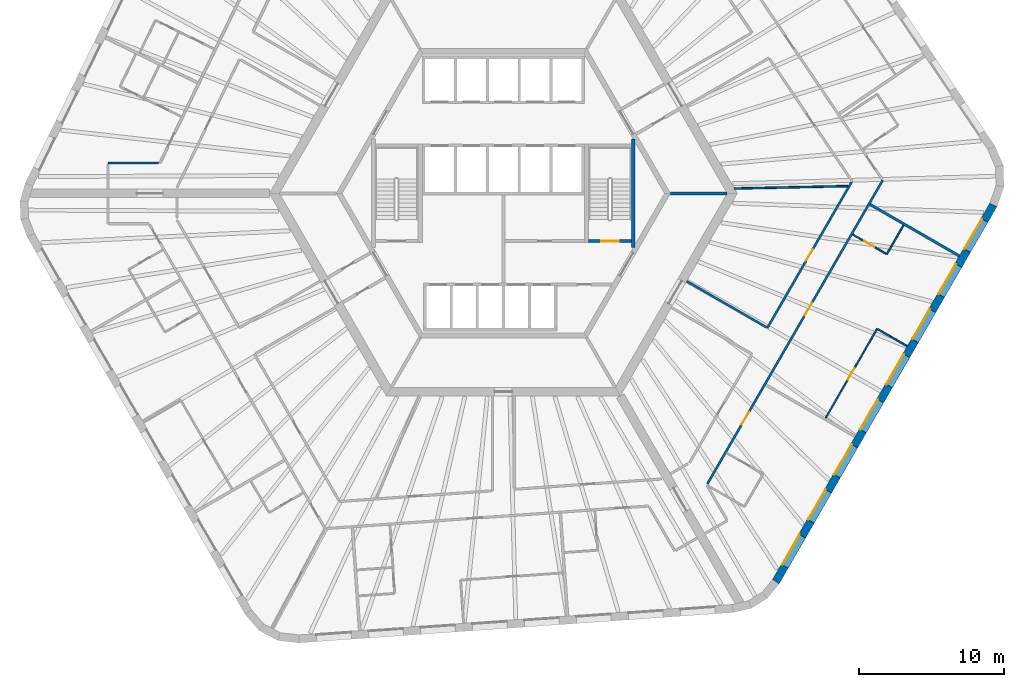
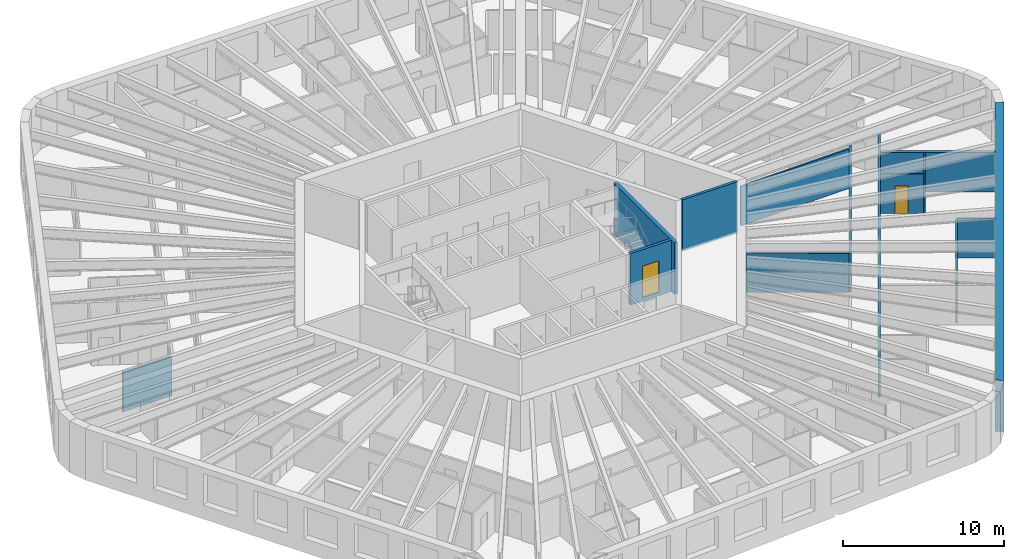
# One storey, part 6 of 12: 14 walls, 8 windows, 6 doors, 14 openings.
"""IFC4 building model written with IfcOpenShell, lengths in metres."""

from ifc_helpers import new_model, si_unit, direction, frame, frame_2d, origin, place, context, subcontext, project, spatial, polyline, rectangle, outline, extrude, material, layer, layer_set, type_object, element, fill, save


model = new_model("IFC4")

# Units and contexts
model_context = context("Model", 3, precision=1e-05, world=origin(), true_north=direction((0.0, 1.0)))
body_context = subcontext(model_context, "Body", "Model", "MODEL_VIEW")
ifc_project = project(units=[si_unit("LENGTHUNIT", "METRE"), si_unit("AREAUNIT", "SQUARE_METRE"), si_unit("VOLUMEUNIT", "CUBIC_METRE"), si_unit("PLANEANGLEUNIT", "RADIAN"), si_unit("MASSUNIT", "GRAM", prefix="KILO")], contexts=[model_context])

# Site, building, storey
site_placement = place(None, origin())
site = spatial("IfcSite", under=ifc_project, at=site_placement, CompositionType="ELEMENT")
building_placement = place(site_placement, origin())
building = spatial("IfcBuilding", under=site, at=building_placement, Name="Tarnside Tower", CompositionType="ELEMENT")
storey_placement = place(building_placement, frame((0.0, 0.0, 96.0)))
storey = spatial("IfcBuildingStorey", under=building, at=storey_placement, Name="L21", CompositionType="ELEMENT", Elevation=96.0)

# Wall
ifc_material_1 = material(Name="Gypsum board partition on steel studs", Category="steel")
ifc_layer_1 = layer(ifc_material_1, 0.10009765625)
ifc_layer_set_1 = layer_set([ifc_layer_1], Name="Bathroom wall 100")
wall_type_1 = type_object("IfcWallType", Name="Bathroom wall 100", PredefinedType="PARTITIONING", material=ifc_layer_set_1)
wall_1_placement = place(storey_placement, frame((27.654541015625, -2.201171875, 0.0), z_axis=(0.0, 0.0, 1.0), x_axis=(-0.500015210774, -0.866016621662, 0.0)))
element("IfcWall", 1, at=wall_1_placement, inside=storey, type_object=wall_type_1, Name="Bathroom wall 06143", PredefinedType="PARTITIONING", context=body_context, shape_type="SweptSolid", body=[
    extrude(rectangle(XDim=2.31005859375, YDim=0.10009765625, at=frame_2d((1.155029296875, 0.0))), origin(), (0.0, 0.0, 1.0), 2.98779296875),
])

# Wall, opening, door
wall_2_placement = place(storey_placement, frame((26.4560546875, -4.176513671875, 0.0), z_axis=(0.0, 0.0, 1.0), x_axis=(-0.866021425885, 0.500006889861, 0.0)))
wall_2 = element("IfcWall", 2, at=wall_2_placement, inside=storey, type_object=wall_type_1, Name="Bathroom wall 06144", PredefinedType="PARTITIONING", context=body_context, shape_type="SweptSolid", body=[
    extrude(rectangle(XDim=2.6748046875, YDim=0.10009765625, at=frame_2d((1.33740234375, 0.0))), origin(), (0.0, 0.0, 1.0), 2.98779296875),
])
opening_1_placement = place(wall_2_placement, frame((0.949951171875, 0.0, 0.0)))
opening_1 = element("IfcOpeningElement", 3, at=opening_1_placement, cuts=wall_2, Name="Opening D-B1", PredefinedType="OPENING", context=body_context, shape_type="SweptSolid", body=[
    extrude(rectangle(XDim=0.800048828125, YDim=2.10009765625, at=frame_2d((0.39990234375, 1.050048828125))), frame((0.0, 0.06005859375, 0.0), z_axis=(0.0, -1.0, 0.0), x_axis=(1.0, 0.0, 0.0)), (0.0, 0.0, 1.0), 0.1201171875),
])
ifc_material_2 = material(Name="Timber door leaf", Category="wood")
door_type_1 = type_object("IfcDoorType", Name="Bathroom door 800", OperationType="NOTDEFINED", PredefinedType="DOOR", material=ifc_material_2)
door_1_placement = place(opening_1_placement, origin())
door_1 = element("IfcDoor", 4, at=door_1_placement, inside=storey, type_object=door_type_1, Name="Bathroom door 06033", OperationType="SINGLE_SWING_RIGHT", OverallHeight=2.10009765625, OverallWidth=0.800048828125, PredefinedType="DOOR", context=body_context, shape_type="SweptSolid", body=[
    extrude(rectangle(XDim=0.800048828125, YDim=2.10009765625, at=frame_2d((0.39990234375, 1.050048828125))), frame((0.0, 0.02490234375, 0.0), z_axis=(0.0, -1.0, 0.0), x_axis=(1.0, 0.0, 0.0)), (0.0, 0.0, 1.0), 0.050048828125),
])
fill(opening_1, door_1)

# Wall
ifc_layer_2 = layer(ifc_material_1, 0.14990234375)
ifc_layer_set_2 = layer_set([ifc_layer_2], Name="Corridor wall 150 EI 60")
wall_type_2 = type_object("IfcWallType", Name="Corridor wall 150 EI 60", PredefinedType="PARTITIONING", material=ifc_layer_set_2)
wall_3_placement = place(storey_placement, frame((-23.814697265625, 2.10009765625, 0.0), z_axis=(0.0, 0.0, 1.0), x_axis=(-1.0, 0.0, 0.0)))
element("IfcWall", 5, at=wall_3_placement, inside=storey, type_object=wall_type_2, Name="Corridor wall 06012", PredefinedType="PARTITIONING", context=body_context, shape_type="SweptSolid", body=[
    extrude(rectangle(XDim=3.505615234375, YDim=0.14990234375, at=frame_2d((1.7529296875, 0.0))), origin(), (0.0, 0.0, 1.0), 2.98779296875),
])

# Wall, openings, doors
wall_4_placement = place(storey_placement, frame((14.101806640625, -20.074951171875, 0.0), z_axis=(0.0, 0.0, 1.0), x_axis=(0.499996816197, 0.866027241946, 0.0)))
wall_4 = element("IfcWall", 6, at=wall_4_placement, inside=storey, type_object=wall_type_2, Name="Corridor wall 06052", PredefinedType="PARTITIONING", context=body_context, shape_type="SweptSolid", body=[
    extrude(rectangle(XDim=24.238037109375, YDim=0.14990234375, at=frame_2d((12.119140625, 0.0))), origin(), (0.0, 0.0, 1.0), 2.98779296875),
])
opening_2_placement = place(wall_4_placement, frame((4.7294921875, 0.0, 0.0)))
opening_2 = element("IfcOpeningElement", 7, at=opening_2_placement, cuts=wall_4, Name="Opening D-E1", PredefinedType="OPENING", context=body_context, shape_type="SweptSolid", body=[
    extrude(rectangle(XDim=1.0, YDim=2.10009765625, at=frame_2d((0.5, 1.050048828125))), frame((0.0, 0.0849609375, 0.0), z_axis=(0.0, -1.0, 0.0), x_axis=(1.0, 0.0, 0.0)), (0.0, 0.0, 1.0), 0.169921875),
])
opening_3_placement = place(wall_4_placement, frame((13.445556640625, 0.0, 0.0)))
opening_3 = element("IfcOpeningElement", 8, at=opening_3_placement, cuts=wall_4, Name="Opening D-E1", PredefinedType="OPENING", context=body_context, shape_type="SweptSolid", body=[
    extrude(rectangle(XDim=1.0, YDim=2.10009765625, at=frame_2d((0.5, 1.050048828125))), frame((0.0, 0.0849609375, 0.0), z_axis=(0.0, -1.0, 0.0), x_axis=(1.0, 0.0, 0.0)), (0.0, 0.0, 1.0), 0.169921875),
])
door_type_2 = type_object("IfcDoorType", Name="Unit entrance door 1000 FD30S", OperationType="NOTDEFINED", PredefinedType="DOOR", material=ifc_material_2)
door_2_placement = place(opening_2_placement, origin())
door_2 = element("IfcDoor", 9, at=door_2_placement, inside=storey, type_object=door_type_2, Name="Unit door 06030", OperationType="SINGLE_SWING_LEFT", OverallHeight=2.10009765625, OverallWidth=1.0, PredefinedType="DOOR", context=body_context, shape_type="SweptSolid", body=[
    extrude(rectangle(XDim=1.0, YDim=2.10009765625, at=frame_2d((0.5, 1.050048828125))), frame((0.0, 0.02490234375, 0.0), z_axis=(0.0, -1.0, 0.0), x_axis=(1.0, 0.0, 0.0)), (0.0, 0.0, 1.0), 0.050048828125),
])
fill(opening_2, door_2)
door_3_placement = place(opening_3_placement, origin())
door_3 = element("IfcDoor", 10, at=door_3_placement, inside=storey, type_object=door_type_2, Name="Unit door 06032", OperationType="SINGLE_SWING_RIGHT", OverallHeight=2.10009765625, OverallWidth=1.0, PredefinedType="DOOR", context=body_context, shape_type="SweptSolid", body=[
    extrude(rectangle(XDim=1.0, YDim=2.10009765625, at=frame_2d((0.5, 1.050048828125))), frame((0.0, 0.02490234375, 0.0), z_axis=(0.0, -1.0, 0.0), x_axis=(1.0, 0.0, 0.0)), (0.0, 0.0, 1.0), 0.050048828125),
])
fill(opening_3, door_3)

# Wall, opening, door
wall_5_placement = place(storey_placement, frame((24.057861328125, 0.769287109375, 0.0), z_axis=(0.0, 0.0, 1.0), x_axis=(-0.499995346943, -0.866028090212, 0.0)))
wall_5 = element("IfcWall", 11, at=wall_5_placement, inside=storey, type_object=wall_type_2, Name="Corridor wall 06066", PredefinedType="PARTITIONING", context=body_context, shape_type="SweptSolid", body=[
    extrude(rectangle(XDim=11.6162109375, YDim=0.14990234375, at=frame_2d((5.80810546875, 0.0))), origin(), (0.0, 0.0, 1.0), 2.98779296875),
])
opening_4_placement = place(wall_5_placement, frame((5.358154296875, 0.0, 0.0)))
opening_4 = element("IfcOpeningElement", 12, at=opening_4_placement, cuts=wall_5, Name="Opening D-S1", PredefinedType="OPENING", context=body_context, shape_type="SweptSolid", body=[
    extrude(rectangle(XDim=0.89990234375, YDim=2.10009765625, at=frame_2d((0.449951171875, 1.050048828125))), frame((0.0, 0.0849609375, 0.0), z_axis=(0.0, -1.0, 0.0), x_axis=(1.0, 0.0, 0.0)), (0.0, 0.0, 1.0), 0.169921875),
])
door_type_3 = type_object("IfcDoorType", Name="Service room door 900 FD30S", OperationType="NOTDEFINED", PredefinedType="DOOR", material=ifc_material_2)
door_4_placement = place(opening_4_placement, origin())
door_4 = element("IfcDoor", 13, at=door_4_placement, inside=storey, type_object=door_type_3, Name="Service door 06050", OperationType="SINGLE_SWING_RIGHT", OverallHeight=2.10009765625, OverallWidth=0.89990234375, PredefinedType="DOOR", context=body_context, shape_type="SweptSolid", body=[
    extrude(rectangle(XDim=0.89990234375, YDim=2.10009765625, at=frame_2d((0.449951171875, 1.050048828125))), frame((0.0, 0.02490234375, 0.0), z_axis=(0.0, -1.0, 0.0), x_axis=(1.0, 0.0, 0.0)), (0.0, 0.0, 1.0), 0.050048828125),
])
fill(opening_4, door_4)

# Walls
wall_6_placement = place(storey_placement, frame((18.184814453125, -9.253173828125, 0.0), z_axis=(0.0, 0.0, 1.0), x_axis=(-0.866028703517, 0.499994284652, 0.0)))
element("IfcWall", 14, at=wall_6_placement, inside=storey, type_object=wall_type_2, Name="Corridor wall 06067", PredefinedType="PARTITIONING", context=body_context, shape_type="SweptSolid", body=[
    extrude(rectangle(XDim=6.375, YDim=0.14990234375, at=frame_2d((3.1875, 0.0))), origin(), (0.0, 0.0, 1.0), 2.98779296875),
])
ifc_layer_3 = layer(ifc_material_1, 0.179931640625)
ifc_layer_set_3 = layer_set([ifc_layer_3], Name="Demising wall 180 EI 60")
wall_type_3 = type_object("IfcWallType", Name="Demising wall 180 EI 60", PredefinedType="PARTITIONING", material=ifc_layer_set_3)
wall_7_placement = place(storey_placement, frame((31.510009765625, -4.322998046875, 0.0), z_axis=(0.0, 0.0, 1.0), x_axis=(-0.866039509621, 0.499975567179, 0.0)))
element("IfcWall", 15, at=wall_7_placement, inside=storey, type_object=wall_type_3, Name="Demising wall 06147", PredefinedType="PARTITIONING", context=body_context, shape_type="SweptSolid", body=[
    extrude(rectangle(XDim=7.124755859375, YDim=0.179931640625, at=frame_2d((3.5625, 0.0))), origin(), (0.0, 0.0, 1.0), 2.98779296875),
])
ifc_material_3 = material(Name="Concrete C40/50", Category="concrete")
ifc_layer_4 = layer(ifc_material_3, 0.199951171875)
ifc_layer_set_4 = layer_set([ifc_layer_4], Name="Lift shaft wall 200 C40/50")
wall_type_4 = type_object("IfcWallType", Name="Lift shaft wall 200 C40/50", PredefinedType="SHEAR", material=ifc_layer_set_4)
wall_8_placement = place(storey_placement, frame((11.547119140625, 0.0, -0.14990234375), z_axis=(0.0, 0.0, 1.0), x_axis=(1.0, 0.0, 0.0)))
element("IfcWall", 16, at=wall_8_placement, inside=storey, type_object=wall_type_4, Name="L21 core partition AR0", PredefinedType="SHEAR", context=body_context, shape_type="SweptSolid", body=[
    extrude(rectangle(XDim=3.92578125, YDim=0.199951171875, at=frame_2d((1.962890625, 0.0))), origin(), (0.0, 0.0, 1.0), 3.89990234375),
])

# Wall, opening, door
wall_9_placement = place(storey_placement, frame((5.89990234375, -3.300048828125, -0.25), z_axis=(0.0, 0.0, 1.0), x_axis=(1.0, 0.0, 0.0)))
wall_9 = element("IfcWall", 17, at=wall_9_placement, inside=storey, type_object=wall_type_4, Name="L21 stair 1 enclosure cap wall s", PredefinedType="SHEAR", context=body_context, shape_type="SweptSolid", body=[
    extrude(rectangle(XDim=2.9501953125, YDim=0.199951171875, at=frame_2d((1.47509765625, 0.0))), origin(), (0.0, 0.0, 1.0), 3.89990234375),
])
opening_5_placement = place(wall_9_placement, frame((0.875, 0.0, 0.25)))
opening_5 = element("IfcOpeningElement", 18, at=opening_5_placement, cuts=wall_9, Name="Opening CD-STR", PredefinedType="OPENING", context=body_context, shape_type="SweptSolid", body=[
    extrude(rectangle(XDim=1.199951171875, YDim=2.39990234375, at=frame_2d((0.60009765625, 1.199951171875))), frame((0.0, 0.10986328125, 0.0), z_axis=(0.0, -1.0, 0.0), x_axis=(1.0, 0.0, 0.0)), (0.0, 0.0, 1.0), 0.219970703125),
])
ifc_material_4 = material(Name="Steel fire door", Category="steel")
door_type_4 = type_object("IfcDoorType", Name="Stair door FD60S 1200x2400", OperationType="NOTDEFINED", PredefinedType="DOOR", material=ifc_material_4)
door_5_placement = place(opening_5_placement, origin())
door_5 = element("IfcDoor", 19, at=door_5_placement, inside=storey, type_object=door_type_4, Name="L21 stair 1 door", OperationType="SINGLE_SWING_LEFT", OverallHeight=2.39990234375, OverallWidth=1.199951171875, PredefinedType="DOOR", context=body_context, shape_type="SweptSolid", body=[
    extrude(rectangle(XDim=1.199951171875, YDim=2.39990234375, at=frame_2d((0.60009765625, 1.199951171875))), frame((0.0, 0.02490234375, 0.0), z_axis=(0.0, -1.0, 0.0), x_axis=(1.0, 0.0, 0.0)), (0.0, 0.0, 1.0), 0.050048828125),
])
fill(opening_5, door_5)

ifc_layer_5 = layer(ifc_material_1, 0.10009765625)
ifc_layer_set_5 = layer_set([ifc_layer_5], Name="Partition 100")
wall_type_5 = type_object("IfcWallType", Name="Partition 100", PredefinedType="PARTITIONING", material=ifc_layer_set_5)
wall_10_placement = place(storey_placement, frame((22.276611328125, -15.515869140625, 0.0), z_axis=(0.0, 0.0, 1.0), x_axis=(0.499990956993, 0.866030624704, 0.0)))
wall_10 = element("IfcWall", 20, at=wall_10_placement, inside=storey, type_object=wall_type_5, Name="Partition wall 06145", PredefinedType="PARTITIONING", context=body_context, shape_type="SweptSolid", body=[
    extrude(rectangle(XDim=7.110107421875, YDim=0.10009765625, at=frame_2d((3.55517578125, 0.0))), origin(), (0.0, 0.0, 1.0), 2.98779296875),
])
opening_6_placement = place(wall_10_placement, frame((3.06005859375, 0.0, 0.0)))
opening_6 = element("IfcOpeningElement", 21, at=opening_6_placement, cuts=wall_10, Name="Opening D-I1", PredefinedType="OPENING", context=body_context, shape_type="SweptSolid", body=[
    extrude(rectangle(XDim=0.89990234375, YDim=2.10009765625, at=frame_2d((0.449951171875, 1.050048828125))), frame((0.0, 0.06005859375, 0.0), z_axis=(0.0, -1.0, 0.0), x_axis=(1.0, 0.0, 0.0)), (0.0, 0.0, 1.0), 0.1201171875),
])
door_type_5 = type_object("IfcDoorType", Name="Internal door 900", OperationType="NOTDEFINED", PredefinedType="DOOR", material=ifc_material_2)
door_6_placement = place(opening_6_placement, origin())
door_6 = element("IfcDoor", 22, at=door_6_placement, inside=storey, type_object=door_type_5, Name="Internal door 06034", OperationType="SINGLE_SWING_RIGHT", OverallHeight=2.10009765625, OverallWidth=0.89990234375, PredefinedType="DOOR", context=body_context, shape_type="SweptSolid", body=[
    extrude(rectangle(XDim=0.89990234375, YDim=2.10009765625, at=frame_2d((0.449951171875, 1.050048828125))), frame((0.0, 0.02490234375, 0.0), z_axis=(0.0, -1.0, 0.0), x_axis=(1.0, 0.0, 0.0)), (0.0, 0.0, 1.0), 0.050048828125),
])
fill(opening_6, door_6)

# Walls
wall_11_placement = place(storey_placement, frame((25.874755859375, -9.383544921875, 0.0), z_axis=(0.0, 0.0, 1.0), x_axis=(0.866016039709, -0.500016218704, 0.0)))
element("IfcWall", 23, at=wall_11_placement, inside=storey, type_object=wall_type_5, Name="Partition wall 06146", PredefinedType="PARTITIONING", context=body_context, shape_type="SweptSolid", body=[
    extrude(rectangle(XDim=2.35009765625, YDim=0.10009765625, at=frame_2d((1.175048828125, 0.0))), origin(), (0.0, 0.0, 1.0), 2.98779296875),
])
ifc_layer_6 = layer(ifc_material_1, 0.1201171875)
ifc_layer_set_6 = layer_set([ifc_layer_6], Name="Service room wall 120 EI 60")
wall_type_6 = type_object("IfcWallType", Name="Service room wall 120 EI 60", PredefinedType="PARTITIONING", material=ifc_layer_set_6)
wall_12_placement = place(storey_placement, frame((23.81787109375, 0.50390625, 0.0), z_axis=(0.0, 0.0, 1.0), x_axis=(-0.999776284395, -0.021151386765, 0.0)))
element("IfcWall", 24, at=wall_12_placement, inside=storey, type_object=wall_type_6, Name="Service wall 06165", PredefinedType="PARTITIONING", context=body_context, shape_type="SweptSolid", body=[
    extrude(rectangle(XDim=7.848876953125, YDim=0.1201171875, at=frame_2d((3.92431640625, 0.0))), origin(), (0.0, 0.0, 1.0), 2.98779296875),
])
ifc_layer_7 = layer(ifc_material_3, 0.25)
ifc_layer_set_7 = layer_set([ifc_layer_7], Name="Stair enclosure wall 250 C40/50")
wall_type_7 = type_object("IfcWallType", Name="Stair enclosure wall 250 C40/50", PredefinedType="SHEAR", material=ifc_layer_set_7)
wall_13_placement = place(storey_placement, frame((8.97509765625, -3.7548828125, -0.25), z_axis=(0.0, 0.0, 1.0), x_axis=(0.0, 1.0, 0.0)))
element("IfcWall", 25, at=wall_13_placement, inside=storey, type_object=wall_type_7, Name="L21 stair 1 enclosure wall outer", PredefinedType="SHEAR", context=body_context, shape_type="SweptSolid", body=[
    extrude(rectangle(XDim=7.509765625, YDim=0.25, at=frame_2d((3.7548828125, 0.0))), origin(), (0.0, 0.0, 1.0), 3.89990234375),
])

# Wall, openings, windows
ifc_material_5 = material(Name="Facing brick", Category="masonry")
ifc_layer_8 = layer(ifc_material_5, 0.10205078125)
ifc_material_6 = material(Name="Concrete C60/75 precast", Category="concrete")
ifc_layer_9 = layer(ifc_material_6, 0.347900390625)
ifc_material_7 = material(Name="Mineral wool insulation")
ifc_layer_10 = layer(ifc_material_7, 0.10009765625)
ifc_layer_set_8 = layer_set([ifc_layer_8, ifc_layer_9, ifc_layer_10], Name="Tube wall 550 brick faced")
wall_type_8 = type_object("IfcWallType", Name="Tube wall 550 brick faced", PredefinedType="SOLIDWALL", material=ifc_layer_set_8)
wall_14_placement = place(storey_placement, frame((18.830322265625, -26.834716796875, -0.14990234375), z_axis=(0.0, 0.0, 1.0), x_axis=(0.500003800416, 0.866023209602, 0.0)))
wall_14 = element("IfcWall", 26, at=wall_14_placement, inside=storey, type_object=wall_type_8, Name="Tube wall L21 F5 flush 16", PredefinedType="SOLIDWALL", context=body_context, shape_type="SweptSolid", body=[
    extrude(outline(polyline([(-0.0224609375, -0.27490234375), (30.0966796875, -0.27490234375), (30.04541015625, 0.27490234375), (0.0224609375, 0.27490234375), (-0.0224609375, -0.27490234375)])), origin(), (0.0, 0.0, 1.0), 3.89990234375),
])
opening_7_placement = place(wall_14_placement, frame((1.235595703125, 0.0, 1.050048828125)))
opening_7 = element("IfcOpeningElement", 27, at=opening_7_placement, cuts=wall_14, Name="Opening WH", PredefinedType="OPENING", context=body_context, shape_type="SweptSolid", body=[
    extrude(rectangle(XDim=2.39990234375, YDim=2.39990234375, at=frame_2d((1.199951171875, 1.199951171875))), frame((0.0, 0.28515625, 0.0), z_axis=(0.0, -1.0, 0.0), x_axis=(1.0, 0.0, 0.0)), (0.0, 0.0, 1.0), 0.570068359375),
])
opening_8_placement = place(wall_14_placement, frame((4.83544921875, 0.0, 1.050048828125)))
opening_8 = element("IfcOpeningElement", 28, at=opening_8_placement, cuts=wall_14, Name="Opening WH", PredefinedType="OPENING", context=body_context, shape_type="SweptSolid", body=[
    extrude(rectangle(XDim=2.39990234375, YDim=2.39990234375, at=frame_2d((1.199951171875, 1.199951171875))), frame((0.0, 0.28515625, 0.0), z_axis=(0.0, -1.0, 0.0), x_axis=(1.0, 0.0, 0.0)), (0.0, 0.0, 1.0), 0.570068359375),
])
opening_9_placement = place(wall_14_placement, frame((8.435546875, 0.0, 1.050048828125)))
opening_9 = element("IfcOpeningElement", 29, at=opening_9_placement, cuts=wall_14, Name="Opening WH", PredefinedType="OPENING", context=body_context, shape_type="SweptSolid", body=[
    extrude(rectangle(XDim=2.39990234375, YDim=2.39990234375, at=frame_2d((1.199951171875, 1.199951171875))), frame((0.0, 0.28515625, 0.0), z_axis=(0.0, -1.0, 0.0), x_axis=(1.0, 0.0, 0.0)), (0.0, 0.0, 1.0), 0.570068359375),
])
opening_10_placement = place(wall_14_placement, frame((12.035400390625, 0.0, 1.050048828125)))
opening_10 = element("IfcOpeningElement", 30, at=opening_10_placement, cuts=wall_14, Name="Opening WH", PredefinedType="OPENING", context=body_context, shape_type="SweptSolid", body=[
    extrude(rectangle(XDim=2.39990234375, YDim=2.39990234375, at=frame_2d((1.199951171875, 1.199951171875))), frame((0.0, 0.28515625, 0.0), z_axis=(0.0, -1.0, 0.0), x_axis=(1.0, 0.0, 0.0)), (0.0, 0.0, 1.0), 0.570068359375),
])
opening_11_placement = place(wall_14_placement, frame((15.635498046875, 0.0, 1.050048828125)))
opening_11 = element("IfcOpeningElement", 31, at=opening_11_placement, cuts=wall_14, Name="Opening WH", PredefinedType="OPENING", context=body_context, shape_type="SweptSolid", body=[
    extrude(rectangle(XDim=2.39990234375, YDim=2.39990234375, at=frame_2d((1.199951171875, 1.199951171875))), frame((0.0, 0.28515625, 0.0), z_axis=(0.0, -1.0, 0.0), x_axis=(1.0, 0.0, 0.0)), (0.0, 0.0, 1.0), 0.570068359375),
])
opening_12_placement = place(wall_14_placement, frame((19.235595703125, 0.0, 1.050048828125)))
opening_12 = element("IfcOpeningElement", 32, at=opening_12_placement, cuts=wall_14, Name="Opening WH", PredefinedType="OPENING", context=body_context, shape_type="SweptSolid", body=[
    extrude(rectangle(XDim=2.39990234375, YDim=2.39990234375, at=frame_2d((1.199951171875, 1.199951171875))), frame((0.0, 0.28515625, 0.0), z_axis=(0.0, -1.0, 0.0), x_axis=(1.0, 0.0, 0.0)), (0.0, 0.0, 1.0), 0.570068359375),
])
opening_13_placement = place(wall_14_placement, frame((22.83544921875, 0.0, 1.050048828125)))
opening_13 = element("IfcOpeningElement", 33, at=opening_13_placement, cuts=wall_14, Name="Opening WH", PredefinedType="OPENING", context=body_context, shape_type="SweptSolid", body=[
    extrude(rectangle(XDim=2.39990234375, YDim=2.39990234375, at=frame_2d((1.199951171875, 1.199951171875))), frame((0.0, 0.28515625, 0.0), z_axis=(0.0, -1.0, 0.0), x_axis=(1.0, 0.0, 0.0)), (0.0, 0.0, 1.0), 0.570068359375),
])
opening_14_placement = place(wall_14_placement, frame((26.435546875, 0.0, 1.050048828125)))
opening_14 = element("IfcOpeningElement", 34, at=opening_14_placement, cuts=wall_14, Name="Opening WH", PredefinedType="OPENING", context=body_context, shape_type="SweptSolid", body=[
    extrude(rectangle(XDim=2.39990234375, YDim=2.39990234375, at=frame_2d((1.199951171875, 1.199951171875))), frame((0.0, 0.28515625, 0.0), z_axis=(0.0, -1.0, 0.0), x_axis=(1.0, 0.0, 0.0)), (0.0, 0.0, 1.0), 0.570068359375),
])
ifc_material_8 = material(Name="Aluminium-framed double glazing", Category="aluminium")
window_type = type_object("IfcWindowType", Name="Hotel window 2400 x 2400", PartitioningType="DOUBLE_PANEL_VERTICAL", PredefinedType="WINDOW", material=ifc_material_8)
window_1_placement = place(opening_7_placement, frame((0.0, 0.205078125, 0.0)))
window_1 = element("IfcWindow", 35, at=window_1_placement, inside=storey, type_object=window_type, Name="E.WN.L21.F5.00", OverallHeight=2.39990234375, OverallWidth=2.39990234375, PartitioningType="DOUBLE_PANEL_VERTICAL", PredefinedType="WINDOW", context=body_context, shape_type="SweptSolid", body=[
    extrude(rectangle(XDim=2.39990234375, YDim=2.39990234375, at=frame_2d((1.199951171875, 1.199951171875))), frame((0.0, 0.030029296875, 0.0), z_axis=(0.0, -1.0, 0.0), x_axis=(1.0, 0.0, 0.0)), (0.0, 0.0, 1.0), 0.06005859375),
])
fill(opening_7, window_1)
window_2_placement = place(opening_8_placement, frame((0.0, 0.205078125, 0.0)))
window_2 = element("IfcWindow", 36, at=window_2_placement, inside=storey, type_object=window_type, Name="E.WN.L21.F5.01", OverallHeight=2.39990234375, OverallWidth=2.39990234375, PartitioningType="DOUBLE_PANEL_VERTICAL", PredefinedType="WINDOW", context=body_context, shape_type="SweptSolid", body=[
    extrude(rectangle(XDim=2.39990234375, YDim=2.39990234375, at=frame_2d((1.199951171875, 1.199951171875))), frame((0.0, 0.030029296875, 0.0), z_axis=(0.0, -1.0, 0.0), x_axis=(1.0, 0.0, 0.0)), (0.0, 0.0, 1.0), 0.06005859375),
])
fill(opening_8, window_2)
window_3_placement = place(opening_9_placement, frame((0.0, 0.205078125, 0.0)))
window_3 = element("IfcWindow", 37, at=window_3_placement, inside=storey, type_object=window_type, Name="E.WN.L21.F5.02", OverallHeight=2.39990234375, OverallWidth=2.39990234375, PartitioningType="DOUBLE_PANEL_VERTICAL", PredefinedType="WINDOW", context=body_context, shape_type="SweptSolid", body=[
    extrude(rectangle(XDim=2.39990234375, YDim=2.39990234375, at=frame_2d((1.199951171875, 1.199951171875))), frame((0.0, 0.030029296875, 0.0), z_axis=(0.0, -1.0, 0.0), x_axis=(1.0, 0.0, 0.0)), (0.0, 0.0, 1.0), 0.06005859375),
])
fill(opening_9, window_3)
window_4_placement = place(opening_10_placement, frame((0.0, 0.205078125, 0.0)))
window_4 = element("IfcWindow", 38, at=window_4_placement, inside=storey, type_object=window_type, Name="E.WN.L21.F5.03", OverallHeight=2.39990234375, OverallWidth=2.39990234375, PartitioningType="DOUBLE_PANEL_VERTICAL", PredefinedType="WINDOW", context=body_context, shape_type="SweptSolid", body=[
    extrude(rectangle(XDim=2.39990234375, YDim=2.39990234375, at=frame_2d((1.199951171875, 1.199951171875))), frame((0.0, 0.030029296875, 0.0), z_axis=(0.0, -1.0, 0.0), x_axis=(1.0, 0.0, 0.0)), (0.0, 0.0, 1.0), 0.06005859375),
])
fill(opening_10, window_4)
window_5_placement = place(opening_11_placement, frame((0.0, 0.205078125, 0.0)))
window_5 = element("IfcWindow", 39, at=window_5_placement, inside=storey, type_object=window_type, Name="E.WN.L21.F5.04", OverallHeight=2.39990234375, OverallWidth=2.39990234375, PartitioningType="DOUBLE_PANEL_VERTICAL", PredefinedType="WINDOW", context=body_context, shape_type="SweptSolid", body=[
    extrude(rectangle(XDim=2.39990234375, YDim=2.39990234375, at=frame_2d((1.199951171875, 1.199951171875))), frame((0.0, 0.030029296875, 0.0), z_axis=(0.0, -1.0, 0.0), x_axis=(1.0, 0.0, 0.0)), (0.0, 0.0, 1.0), 0.06005859375),
])
fill(opening_11, window_5)
window_6_placement = place(opening_12_placement, frame((0.0, 0.205078125, 0.0)))
window_6 = element("IfcWindow", 40, at=window_6_placement, inside=storey, type_object=window_type, Name="E.WN.L21.F5.05", OverallHeight=2.39990234375, OverallWidth=2.39990234375, PartitioningType="DOUBLE_PANEL_VERTICAL", PredefinedType="WINDOW", context=body_context, shape_type="SweptSolid", body=[
    extrude(rectangle(XDim=2.39990234375, YDim=2.39990234375, at=frame_2d((1.199951171875, 1.199951171875))), frame((0.0, 0.030029296875, 0.0), z_axis=(0.0, -1.0, 0.0), x_axis=(1.0, 0.0, 0.0)), (0.0, 0.0, 1.0), 0.06005859375),
])
fill(opening_12, window_6)
window_7_placement = place(opening_13_placement, frame((0.0, 0.205078125, 0.0)))
window_7 = element("IfcWindow", 41, at=window_7_placement, inside=storey, type_object=window_type, Name="E.WN.L21.F5.06", OverallHeight=2.39990234375, OverallWidth=2.39990234375, PartitioningType="DOUBLE_PANEL_VERTICAL", PredefinedType="WINDOW", context=body_context, shape_type="SweptSolid", body=[
    extrude(rectangle(XDim=2.39990234375, YDim=2.39990234375, at=frame_2d((1.199951171875, 1.199951171875))), frame((0.0, 0.030029296875, 0.0), z_axis=(0.0, -1.0, 0.0), x_axis=(1.0, 0.0, 0.0)), (0.0, 0.0, 1.0), 0.06005859375),
])
fill(opening_13, window_7)
window_8_placement = place(opening_14_placement, frame((0.0, 0.205078125, 0.0)))
window_8 = element("IfcWindow", 42, at=window_8_placement, inside=storey, type_object=window_type, Name="E.WN.L21.F5.07", OverallHeight=2.39990234375, OverallWidth=2.39990234375, PartitioningType="DOUBLE_PANEL_VERTICAL", PredefinedType="WINDOW", context=body_context, shape_type="SweptSolid", body=[
    extrude(rectangle(XDim=2.39990234375, YDim=2.39990234375, at=frame_2d((1.199951171875, 1.199951171875))), frame((0.0, 0.030029296875, 0.0), z_axis=(0.0, -1.0, 0.0), x_axis=(1.0, 0.0, 0.0)), (0.0, 0.0, 1.0), 0.06005859375),
])
fill(opening_14, window_8)

save(model, "model.ifc")
